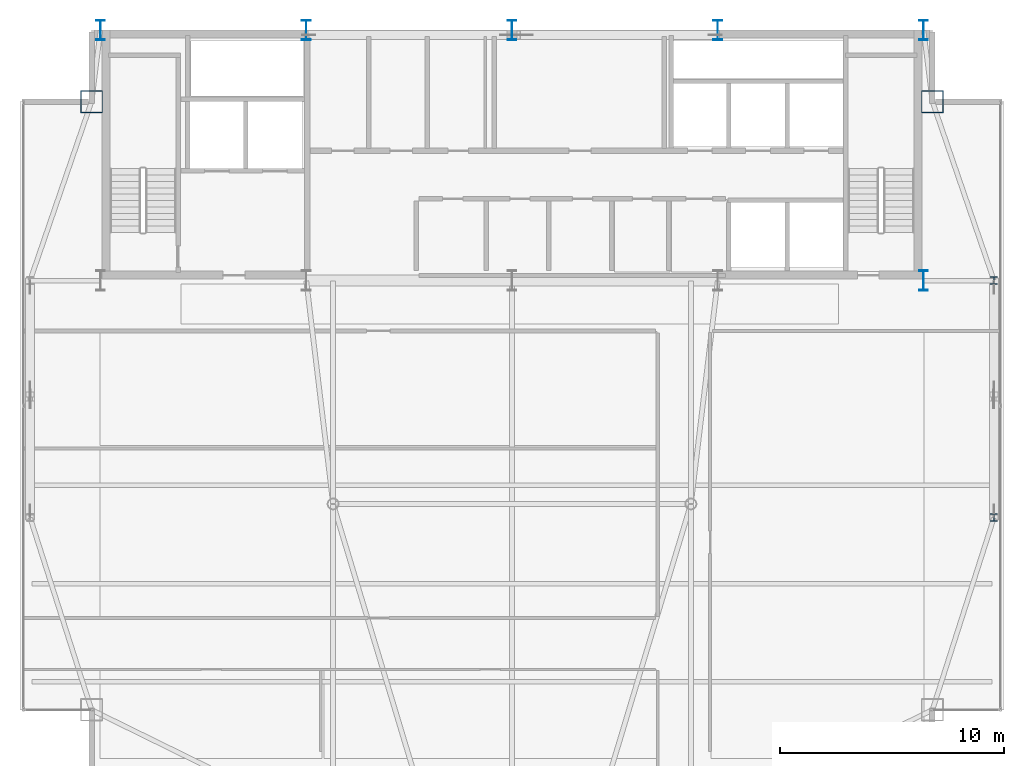
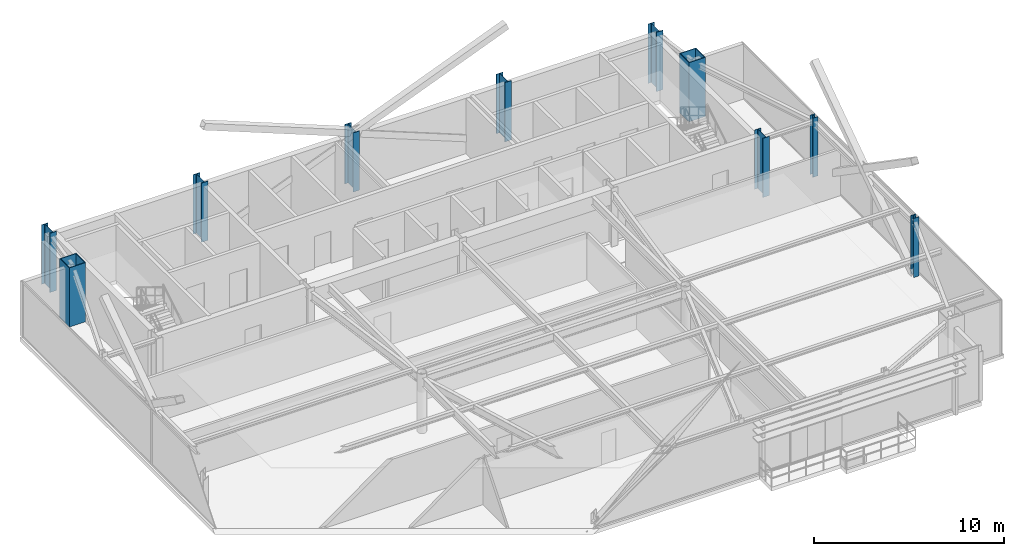
# One storey, part 2 of 25: 10 columns.
"""IFC4 building model written with IfcOpenShell, lengths in metres."""

from ifc_helpers import new_model, si_unit, direction, frame, origin, origin_2d, place, context, subcontext, project, spatial, hollow_rectangle, i_section, extrude, source, transform, mapped, material, material_profile, profile_set, type_object, type_shapes, element, save


model = new_model("IFC4")

# Units and contexts
model_context = context("Model", 3, precision=1e-05, world=origin(), true_north=direction((0.0, 1.0)))
body_context = subcontext(model_context, "Body", "Model", "MODEL_VIEW")
ifc_project = project(units=[si_unit("LENGTHUNIT", "METRE"), si_unit("AREAUNIT", "SQUARE_METRE"), si_unit("VOLUMEUNIT", "CUBIC_METRE"), si_unit("PLANEANGLEUNIT", "RADIAN"), si_unit("MASSUNIT", "GRAM", prefix="KILO")], contexts=[model_context])

# Site, building, storey
site_placement = place(None, origin())
site = spatial("IfcSite", under=ifc_project, at=site_placement, CompositionType="ELEMENT")
building_placement = place(site_placement, origin())
building = spatial("IfcBuilding", under=site, at=building_placement, Name="Varnel Quay Broadcast Tower", CompositionType="ELEMENT")
storey_placement = place(building_placement, frame((0.0, 0.0, 288.800048828125)))
storey = spatial("IfcBuildingStorey", under=building, at=storey_placement, Name="L72", CompositionType="ELEMENT", Elevation=288.800048828125)

# Columns
ifc_material_1 = material(Name="Structural Steel CSA G40.21 350WT", Category="steel")
ifc_material_profile_1 = material_profile(ifc_material_1, i_section(OverallWidth=0.39990234375, OverallDepth=0.89990234375, WebThickness=0.01611328125, FlangeThickness=0.028076171875, FilletRadius=0.01611328125, at=origin_2d()), Name="WWF900X309")
ifc_profile_set_1 = profile_set([ifc_material_profile_1], Name="Structural Steel CSA G40.21 350WT")
column_type_1 = type_object("IfcColumnType", Name="Col_WWF900X309", PredefinedType="COLUMN", material=ifc_profile_set_1)
shared_shape_1 = source(origin(), body_context, "Body", "SweptSolid", [
    extrude(i_section(OverallWidth=0.39990234375, OverallDepth=0.89990234375, WebThickness=0.01611328125, FlangeThickness=0.028076171875, FilletRadius=0.01611328125, at=origin_2d()), origin(), (0.0, 0.0, 1.0), 3.800048828125),
])
type_shapes(column_type_1, [shared_shape_1])
for number, where, z_axis, x_axis, name in (
    (1, (15.60009765625, 46.800048828125, 0.0), (0.0, 0.0, 1.0), (1.0, 0.0, 0.0), "L72 Column CC-N1"),
    (2, (24.800048828125, 46.800048828125, 0.0), (0.0, 0.0, 1.0), (1.0, 0.0, 0.0), "L72 Column CC-N2"),
    (3, (34.0, 46.800048828125, 0.0), (0.0, 0.0, 1.0), (1.0, 0.0, 0.0), "L72 Column CC-N3"),
    (4, (43.199951171875, 46.800048828125, 0.0), (0.0, 0.0, 1.0), (1.0, 0.0, 0.0), "L72 Column CC-N4"),
    (5, (52.39990234375, 35.60009765625, 0.0), (0.0, 0.0, 1.0), (1.0, 0.0, 0.0), "L72 Column CC-S5"),
    (6, (52.39990234375, 46.800048828125, 0.0), (0.0, 0.0, 1.0), (1.0, 0.0, 0.0), "L72 Column CC-N5"),
):
    element("IfcColumn", number, at=place(storey_placement, frame(where, z_axis=z_axis, x_axis=x_axis)), inside=storey, type_object=column_type_1, Name=name, PredefinedType="COLUMN", context=body_context, shape_type="MappedRepresentation", body=[
        mapped(shared_shape_1, transform((0.0, 0.0, 0.0), x_axis=(1.0, 0.0, 0.0), y_axis=(0.0, 1.0, 0.0), z_axis=(0.0, 0.0, 1.0), scale=1.0)),
    ])
ifc_material_profile_2 = material_profile(ifc_material_1, hollow_rectangle(XDim=1.0, YDim=1.0, WallThickness=0.0400390625, at=origin_2d()), Name="BOX1000X1000X40")
ifc_profile_set_2 = profile_set([ifc_material_profile_2], Name="Structural Steel CSA G40.21 350WT")
column_type_2 = type_object("IfcColumnType", Name="Col_BOX1000X1000X40", PredefinedType="COLUMN", material=ifc_profile_set_2)
shared_shape_2 = source(origin(), body_context, "Body", "SweptSolid", [
    extrude(hollow_rectangle(XDim=1.0, YDim=1.0, WallThickness=0.0400390625, at=origin_2d()), origin(), (0.0, 0.0, 1.0), 3.800048828125),
])
type_shapes(column_type_2, [shared_shape_2])
for number, where, z_axis, x_axis, name in (
    (7, (52.800048828125, 43.60009765625, 0.0), (0.0, 0.0, 1.0), (1.0, 0.0, 0.0), "L72 Column MC-NE"),
    (8, (15.199951171875, 43.60009765625, 0.0), (0.0, 0.0, 1.0), (1.0, 0.0, 0.0), "L72 Column MC-NW"),
):
    element("IfcColumn", number, at=place(storey_placement, frame(where, z_axis=z_axis, x_axis=x_axis)), inside=storey, type_object=column_type_2, Name=name, PredefinedType="COLUMN", context=body_context, shape_type="MappedRepresentation", body=[
        mapped(shared_shape_2, transform((0.0, 0.0, 0.0), x_axis=(1.0, 0.0, 0.0), y_axis=(0.0, 1.0, 0.0), z_axis=(0.0, 0.0, 1.0), scale=1.0)),
    ])
ifc_material_2 = material(Name="Structural Steel CSA G40.21 350W", Category="steel")
ifc_material_profile_3 = material_profile(ifc_material_2, i_section(OverallWidth=0.30908203125, OverallDepth=0.322998046875, WebThickness=0.013916015625, FlangeThickness=0.02294921875, FilletRadius=0.014892578125, at=origin_2d()), Name="W310X143")
ifc_profile_set_3 = profile_set([ifc_material_profile_3], Name="Structural Steel CSA G40.21 350W")
column_type_3 = type_object("IfcColumnType", Name="Col_W310X143", PredefinedType="COLUMN", material=ifc_profile_set_3)
shared_shape_3 = source(origin(), body_context, "Body", "SweptSolid", [
    extrude(i_section(OverallWidth=0.30908203125, OverallDepth=0.322998046875, WebThickness=0.013916015625, FlangeThickness=0.02294921875, FilletRadius=0.014892578125, at=origin_2d()), origin(), (0.0, 0.0, 1.0), 3.800048828125),
])
type_shapes(column_type_3, [shared_shape_3])
for number, where, z_axis, x_axis, name in (
    (9, (55.550048828125, 25.0, 0.0), (0.0, 0.0, 1.0), (1.0, 0.0, 0.0), "L72 Column TC-E1"),
    (10, (55.550048828125, 35.60009765625, 0.0), (0.0, 0.0, 1.0), (1.0, 0.0, 0.0), "L72 Column TC-E2"),
):
    element("IfcColumn", number, at=place(storey_placement, frame(where, z_axis=z_axis, x_axis=x_axis)), inside=storey, type_object=column_type_3, Name=name, PredefinedType="COLUMN", context=body_context, shape_type="MappedRepresentation", body=[
        mapped(shared_shape_3, transform((0.0, 0.0, 0.0), x_axis=(1.0, 0.0, 0.0), y_axis=(0.0, 1.0, 0.0), z_axis=(0.0, 0.0, 1.0), scale=1.0)),
    ])

save(model, "model.ifc")
